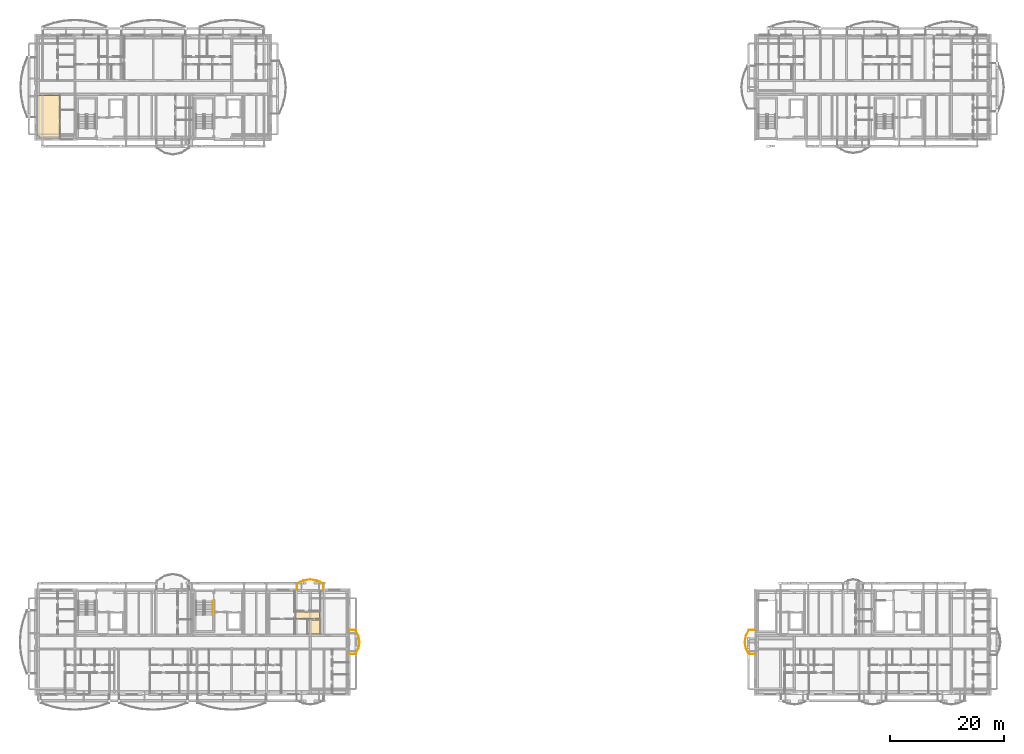
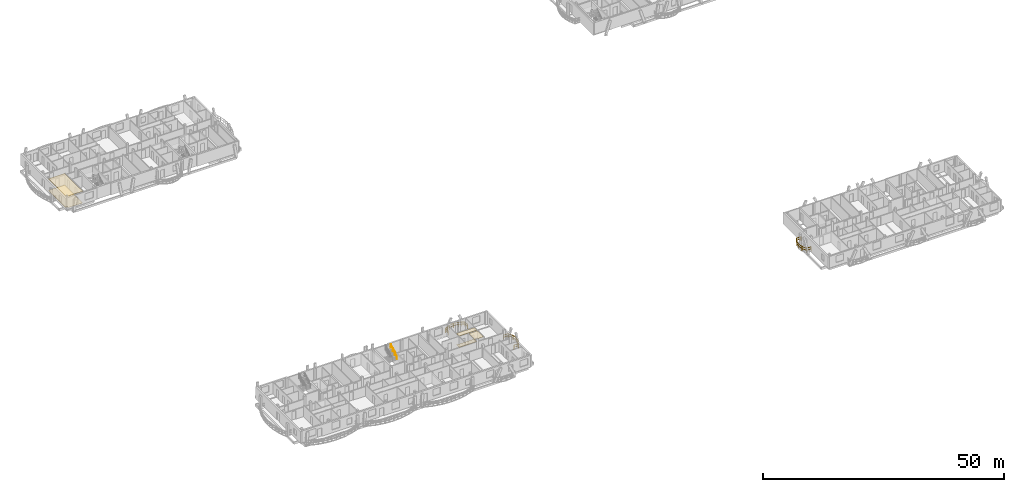
# One storey, part 35 of 41: 5 coverings, 4 railings.
"""IFC4 building model written with IfcOpenShell, lengths in metres."""

from ifc_helpers import new_model, si_unit, direction, frame, origin, origin_2d, place, context, subcontext, project, spatial, polyline, rectangle, outline, extrude, material, layer, layer_set, type_object, element, save


model = new_model("IFC4")

# Units and contexts
model_context = context("Model", 3, precision=1e-05, world=origin(), true_north=direction((0.0, 1.0)))
body_context = subcontext(model_context, "Body", "Model", "MODEL_VIEW")
ifc_project = project(units=[si_unit("LENGTHUNIT", "METRE"), si_unit("AREAUNIT", "SQUARE_METRE"), si_unit("VOLUMEUNIT", "CUBIC_METRE"), si_unit("PLANEANGLEUNIT", "RADIAN"), si_unit("MASSUNIT", "GRAM", prefix="KILO")], contexts=[model_context])

# Site, building, storey
site_placement = place(None, origin())
site = spatial("IfcSite", under=ifc_project, at=site_placement, CompositionType="ELEMENT")
building_placement = place(site_placement, origin())
building = spatial("IfcBuilding", under=site, at=building_placement, Name="Zavelmont Quarter", CompositionType="ELEMENT")
storey_placement = place(building_placement, frame((0.0, 0.0, 27.199951171875)))
storey = spatial("IfcBuildingStorey", under=building, at=storey_placement, Name="L08", CompositionType="ELEMENT", Elevation=27.199951171875)

# Coverings
ifc_material_1 = material(Name="Perforated acoustic gypsum board")
ifc_layer_1 = layer(ifc_material_1, 0.02490234375)
ifc_layer_set_1 = layer_set([ifc_layer_1], Name="Perforated acoustic gypsum board")
covering_type_1 = type_object("IfcCoveringType", Name="CV-CL01", PredefinedType="CEILING", material=ifc_layer_set_1)
covering_1_placement = place(storey_placement, frame((0.0, 0.0, 2.885009765625)))
element("IfcCovering", 1, at=covering_1_placement, inside=storey, type_object=covering_type_1, Name="L08 Kitchen acoustic ceiling", PredefinedType="CEILING", context=body_context, shape_type="SweptSolid", body=[
    extrude(outline(polyline([(47.929931640625, 13.1201171875), (49.969970703125, 13.1201171875), (49.969970703125, 10.6298828125), (48.56494140625, 10.6298828125), (48.56494140625, 10.6650390625), (48.034912109375, 10.6650390625), (48.034912109375, 10.6298828125), (47.929931640625, 10.6298828125), (47.929931640625, 13.1201171875)])), origin(), (0.0, 0.0, 1.0), 0.025146484375),
])
covering_2_placement = place(storey_placement, frame((0.0, 0.0, 2.93505859375)))
element("IfcCovering", 2, at=covering_2_placement, inside=storey, type_object=covering_type_1, Name="L08 Residents Study Lounge acoustic ceiling", PredefinedType="CEILING", context=body_context, shape_type="SweptSolid", body=[
    extrude(outline(polyline([(0.22998046875, 105.360107421875), (0.679931640625, 105.360107421875), (0.679931640625, 105.3701171875), (4.169921875, 105.3701171875), (4.169921875, 97.8798828125), (0.679931640625, 97.8798828125), (0.679931640625, 98.280029296875), (0.22998046875, 98.280029296875), (0.22998046875, 105.360107421875)])), origin(), (0.0, 0.0, 1.0), 0.02490234375),
])
ifc_material_2 = material(Name="Slatted European ash acoustic baffle ceiling")
ifc_layer_2 = layer(ifc_material_2, 0.0400390625)
ifc_layer_set_2 = layer_set([ifc_layer_2], Name="Slatted European ash acoustic baffle ceiling")
covering_type_2 = type_object("IfcCoveringType", Name="CV-CL02", PredefinedType="CEILING", material=ifc_layer_set_2)
covering_3_placement = place(storey_placement, frame((0.0, 0.0, 2.8701171875)))
element("IfcCovering", 3, at=covering_3_placement, inside=storey, type_object=covering_type_2, Name="L08 Apartment Hall acoustic ceiling", PredefinedType="CEILING", context=body_context, shape_type="SweptSolid", body=[
    extrude(outline(polyline([(45.72998046875, 14.469970703125), (49.969970703125, 14.469970703125), (49.969970703125, 13.3798828125), (45.72998046875, 13.3798828125), (45.72998046875, 14.469970703125)])), origin(), (0.0, 0.0, 1.0), 0.0400390625),
])
ifc_material_3 = material(Name="Engineered European oak parquet")
ifc_layer_3 = layer(ifc_material_3, 0.02197265625)
ifc_layer_set_3 = layer_set([ifc_layer_3], Name="Engineered European oak parquet")
covering_type_3 = type_object("IfcCoveringType", Name="CV-FL01", PredefinedType="FLOORING", material=ifc_layer_set_3)
covering_4_placement = place(storey_placement, origin())
element("IfcCovering", 4, at=covering_4_placement, inside=storey, type_object=covering_type_3, Name="L08 Residents Study Lounge floor finish", PredefinedType="FLOORING", context=body_context, shape_type="SweptSolid", body=[
    extrude(outline(polyline([(0.22998046875, 105.360107421875), (0.679931640625, 105.360107421875), (0.679931640625, 105.3701171875), (4.169921875, 105.3701171875), (4.169921875, 97.8798828125), (0.679931640625, 97.8798828125), (0.679931640625, 98.280029296875), (0.22998046875, 98.280029296875), (0.22998046875, 105.360107421875)])), origin(), (0.0, 0.0, 1.0), 0.02197265625),
])
ifc_material_4 = material(Name="Honed Belgian bluestone tile", Category="masonry")
ifc_layer_4 = layer(ifc_material_4, 0.030029296875)
ifc_layer_set_4 = layer_set([ifc_layer_4], Name="Honed Belgian bluestone tile")
covering_type_4 = type_object("IfcCoveringType", Name="CV-FL02", PredefinedType="FLOORING", material=ifc_layer_set_4)
covering_5_placement = place(storey_placement, origin())
element("IfcCovering", 5, at=covering_5_placement, inside=storey, type_object=covering_type_4, Name="L08 Apartment Hall floor finish", PredefinedType="FLOORING", context=body_context, shape_type="SweptSolid", body=[
    extrude(outline(polyline([(45.72998046875, 14.469970703125), (49.969970703125, 14.469970703125), (49.969970703125, 13.3798828125), (45.72998046875, 13.3798828125), (45.72998046875, 14.469970703125)])), origin(), (0.0, 0.0, 1.0), 0.030029296875),
])

# Railings
ifc_material_5 = material(Name="Powder-coated steel and tempered double safety glass", Category="steel")
railing_type_1 = type_object("IfcRailingType", Name="RL-BAL1", PredefinedType="BALUSTRADE", material=ifc_material_5)
railing_1_placement = place(storey_placement, frame((55.219970703125, 7.094482421875, 0.0)))
element("IfcRailing", 6, at=railing_1_placement, inside=storey, type_object=railing_type_1, Name="L08 Block A curved balcony guard RL-BAL1", PredefinedType="BALUSTRADE", context=body_context, shape_type="SweptSolid", body=[
    extrude(rectangle(XDim=0.048095703125, YDim=0.048095703125, at=origin_2d()), frame((0.0, 0.0, 1.076171875), z_axis=(1.0, 0.0, 0.0), x_axis=(0.0, 1.0, 0.0)), (0.0, 0.0, 1.0), 1.080078125),
    extrude(rectangle(XDim=0.048095703125, YDim=0.048095703125, at=origin_2d()), frame((0.0, 0.0, 0.550048828125), z_axis=(1.0, 0.0, 0.0), x_axis=(0.0, 1.0, 0.0)), (0.0, 0.0, 1.0), 1.080078125),
    extrude(rectangle(XDim=0.048095703125, YDim=0.048095703125, at=origin_2d()), frame((1.080078125, 0.0, 1.076171875), z_axis=(0.448705202878, 0.893679831321, 0.0), x_axis=(-0.893679831321, 0.448705202878, 0.0)), (0.0, 0.0, 1.0), 1.177978515625),
    extrude(rectangle(XDim=0.048095703125, YDim=0.048095703125, at=origin_2d()), frame((1.080078125, 0.0, 0.550048828125), z_axis=(0.448705202878, 0.893679831321, 0.0), x_axis=(-0.893679831321, 0.448705202878, 0.0)), (0.0, 0.0, 1.0), 1.177978515625),
    extrude(rectangle(XDim=0.048095703125, YDim=0.048095703125, at=origin_2d()), frame((1.608642578125, 1.052734375, 1.076171875), z_axis=(0.165140757499, 0.986270008777, 0.0), x_axis=(-0.986270008777, 0.165140757499, 0.0)), (0.0, 0.0, 1.0), 1.0673828125),
    extrude(rectangle(XDim=0.048095703125, YDim=0.048095703125, at=origin_2d()), frame((1.608642578125, 1.052734375, 0.550048828125), z_axis=(0.165140757499, 0.986270008777, 0.0), x_axis=(-0.986270008777, 0.165140757499, 0.0)), (0.0, 0.0, 1.0), 1.0673828125),
    extrude(rectangle(XDim=0.048095703125, YDim=0.048095703125, at=origin_2d()), frame((1.784912109375, 2.10546875, 1.076171875), z_axis=(-0.165140757499, 0.986270008777, 0.0), x_axis=(-0.986270008777, -0.165140757499, 0.0)), (0.0, 0.0, 1.0), 1.0673828125),
    extrude(rectangle(XDim=0.048095703125, YDim=0.048095703125, at=origin_2d()), frame((1.784912109375, 2.10546875, 0.550048828125), z_axis=(-0.165140757499, 0.986270008777, 0.0), x_axis=(-0.986270008777, -0.165140757499, 0.0)), (0.0, 0.0, 1.0), 1.0673828125),
    extrude(rectangle(XDim=0.048095703125, YDim=0.048095703125, at=origin_2d()), frame((1.608642578125, 3.158203125, 1.076171875), z_axis=(-0.448705202878, 0.893679831321, 0.0), x_axis=(-0.893679831321, -0.448705202878, 0.0)), (0.0, 0.0, 1.0), 1.177978515625),
    extrude(rectangle(XDim=0.048095703125, YDim=0.048095703125, at=origin_2d()), frame((1.608642578125, 3.158203125, 0.550048828125), z_axis=(-0.448705202878, 0.893679831321, 0.0), x_axis=(-0.893679831321, -0.448705202878, 0.0)), (0.0, 0.0, 1.0), 1.177978515625),
    extrude(rectangle(XDim=0.048095703125, YDim=0.048095703125, at=origin_2d()), frame((1.080078125, 4.2109375, 1.076171875), z_axis=(-1.0, 0.0, 0.0), x_axis=(0.0, -1.0, 0.0)), (0.0, 0.0, 1.0), 1.080078125),
    extrude(rectangle(XDim=0.048095703125, YDim=0.048095703125, at=origin_2d()), frame((1.080078125, 4.2109375, 0.550048828125), z_axis=(-1.0, 0.0, 0.0), x_axis=(0.0, -1.0, 0.0)), (0.0, 0.0, 1.0), 1.080078125),
    extrude(rectangle(XDim=0.0419921875, YDim=0.0419921875, at=origin_2d()), origin(), (0.0, 0.0, 1.0), 1.052001953125),
    extrude(rectangle(XDim=0.0419921875, YDim=0.0419921875, at=origin_2d()), frame((1.080078125, 0.0, 0.0)), (0.0, 0.0, 1.0), 1.052001953125),
    extrude(rectangle(XDim=0.0419921875, YDim=0.0419921875, at=origin_2d()), frame((1.608642578125, 1.052734375, 0.0)), (0.0, 0.0, 1.0), 1.052001953125),
    extrude(rectangle(XDim=0.0419921875, YDim=0.0419921875, at=origin_2d()), frame((1.784912109375, 2.10546875, 0.0)), (0.0, 0.0, 1.0), 1.052001953125),
    extrude(rectangle(XDim=0.0419921875, YDim=0.0419921875, at=origin_2d()), frame((1.608642578125, 3.158203125, 0.0)), (0.0, 0.0, 1.0), 1.052001953125),
    extrude(rectangle(XDim=0.0419921875, YDim=0.0419921875, at=origin_2d()), frame((1.080078125, 4.2109375, 0.0)), (0.0, 0.0, 1.0), 1.052001953125),
    extrude(rectangle(XDim=0.0419921875, YDim=0.0419921875, at=origin_2d()), frame((0.0, 4.2109375, 0.0)), (0.0, 0.0, 1.0), 1.052001953125),
])
railing_2_placement = place(storey_placement, frame((50.601318359375, 18.419921875, 0.0)))
element("IfcRailing", 7, at=railing_2_placement, inside=storey, type_object=railing_type_1, Name="L08 Block A curved balcony guard RL-BAL1", PredefinedType="BALUSTRADE", context=body_context, shape_type="SweptSolid", body=[
    extrude(rectangle(XDim=0.048095703125, YDim=0.048095703125, at=origin_2d()), frame((0.0, 0.0, 1.076171875), z_axis=(0.0, 1.0, 0.0), x_axis=(-1.0, 0.0, 0.0)), (0.0, 0.0, 1.0), 1.080078125),
    extrude(rectangle(XDim=0.048095703125, YDim=0.048095703125, at=origin_2d()), frame((0.0, 0.0, 0.550048828125), z_axis=(0.0, 1.0, 0.0), x_axis=(-1.0, 0.0, 0.0)), (0.0, 0.0, 1.0), 1.080078125),
    extrude(rectangle(XDim=0.048095703125, YDim=0.048095703125, at=origin_2d()), frame((0.0, 1.080078125, 1.076171875), z_axis=(-0.90863532726, 0.417590519594, 0.0), x_axis=(-0.417590519594, -0.90863532726, 0.0)), (0.0, 0.0, 1.0), 1.266357421875),
    extrude(rectangle(XDim=0.048095703125, YDim=0.048095703125, at=origin_2d()), frame((0.0, 1.080078125, 0.550048828125), z_axis=(-0.90863532726, 0.417590519594, 0.0), x_axis=(-0.417590519594, -0.90863532726, 0.0)), (0.0, 0.0, 1.0), 1.266357421875),
    extrude(rectangle(XDim=0.048095703125, YDim=0.048095703125, at=origin_2d()), frame((-1.150634765625, 1.60888671875, 1.076171875), z_axis=(-0.988468482654, 0.151426744001, 0.0), x_axis=(-0.151426744001, -0.988468482654, 0.0)), (0.0, 0.0, 1.0), 1.1640625),
    extrude(rectangle(XDim=0.048095703125, YDim=0.048095703125, at=origin_2d()), frame((-1.150634765625, 1.60888671875, 0.550048828125), z_axis=(-0.988468482654, 0.151426744001, 0.0), x_axis=(-0.151426744001, -0.988468482654, 0.0)), (0.0, 0.0, 1.0), 1.1640625),
    extrude(rectangle(XDim=0.048095703125, YDim=0.048095703125, at=origin_2d()), frame((-2.30126953125, 1.78515625, 1.076171875), z_axis=(-0.988468482654, -0.151426744001, 0.0), x_axis=(0.151426744001, -0.988468482654, 0.0)), (0.0, 0.0, 1.0), 1.1640625),
    extrude(rectangle(XDim=0.048095703125, YDim=0.048095703125, at=origin_2d()), frame((-2.30126953125, 1.78515625, 0.550048828125), z_axis=(-0.988468482654, -0.151426744001, 0.0), x_axis=(0.151426744001, -0.988468482654, 0.0)), (0.0, 0.0, 1.0), 1.1640625),
    extrude(rectangle(XDim=0.048095703125, YDim=0.048095703125, at=origin_2d()), frame((-3.451904296875, 1.60888671875, 1.076171875), z_axis=(-0.90863532726, -0.417590519594, 0.0), x_axis=(0.417590519594, -0.90863532726, 0.0)), (0.0, 0.0, 1.0), 1.266357421875),
    extrude(rectangle(XDim=0.048095703125, YDim=0.048095703125, at=origin_2d()), frame((-3.451904296875, 1.60888671875, 0.550048828125), z_axis=(-0.90863532726, -0.417590519594, 0.0), x_axis=(0.417590519594, -0.90863532726, 0.0)), (0.0, 0.0, 1.0), 1.266357421875),
    extrude(rectangle(XDim=0.048095703125, YDim=0.048095703125, at=origin_2d()), frame((-4.6025390625, 1.080078125, 1.076171875), z_axis=(0.0, -1.0, 0.0), x_axis=(1.0, 0.0, 0.0)), (0.0, 0.0, 1.0), 1.080078125),
    extrude(rectangle(XDim=0.048095703125, YDim=0.048095703125, at=origin_2d()), frame((-4.6025390625, 1.080078125, 0.550048828125), z_axis=(0.0, -1.0, 0.0), x_axis=(1.0, 0.0, 0.0)), (0.0, 0.0, 1.0), 1.080078125),
    extrude(rectangle(XDim=0.0419921875, YDim=0.0419921875, at=origin_2d()), origin(), (0.0, 0.0, 1.0), 1.052001953125),
    extrude(rectangle(XDim=0.0419921875, YDim=0.0419921875, at=origin_2d()), frame((0.0, 1.080078125, 0.0)), (0.0, 0.0, 1.0), 1.052001953125),
    extrude(rectangle(XDim=0.0419921875, YDim=0.0419921875, at=origin_2d()), frame((-0.5751953125, 1.344482421875, 0.0)), (0.0, 0.0, 1.0), 1.052001953125),
    extrude(rectangle(XDim=0.0419921875, YDim=0.0419921875, at=origin_2d()), frame((-1.150634765625, 1.60888671875, 0.0)), (0.0, 0.0, 1.0), 1.052001953125),
    extrude(rectangle(XDim=0.0419921875, YDim=0.0419921875, at=origin_2d()), frame((-2.30126953125, 1.78515625, 0.0)), (0.0, 0.0, 1.0), 1.052001953125),
    extrude(rectangle(XDim=0.0419921875, YDim=0.0419921875, at=origin_2d()), frame((-3.451904296875, 1.60888671875, 0.0)), (0.0, 0.0, 1.0), 1.052001953125),
    extrude(rectangle(XDim=0.0419921875, YDim=0.0419921875, at=origin_2d()), frame((-4.02734375, 1.344482421875, 0.0)), (0.0, 0.0, 1.0), 1.052001953125),
    extrude(rectangle(XDim=0.0419921875, YDim=0.0419921875, at=origin_2d()), frame((-4.6025390625, 1.080078125, 0.0)), (0.0, 0.0, 1.0), 1.052001953125),
    extrude(rectangle(XDim=0.0419921875, YDim=0.0419921875, at=origin_2d()), frame((-4.6025390625, 0.0, 0.0)), (0.0, 0.0, 1.0), 1.052001953125),
])
railing_3_placement = place(storey_placement, frame((126.580078125, 11.305419921875, 0.0)))
element("IfcRailing", 8, at=railing_3_placement, inside=storey, type_object=railing_type_1, Name="L08 Block D curved balcony guard RL-BAL1", PredefinedType="BALUSTRADE", context=body_context, shape_type="SweptSolid", body=[
    extrude(rectangle(XDim=0.048095703125, YDim=0.048095703125, at=origin_2d()), frame((0.0, 0.0, 1.076171875), z_axis=(-1.0, 0.0, 0.0), x_axis=(0.0, -1.0, 0.0)), (0.0, 0.0, 1.0), 1.080078125),
    extrude(rectangle(XDim=0.048095703125, YDim=0.048095703125, at=origin_2d()), frame((0.0, 0.0, 0.550048828125), z_axis=(-1.0, 0.0, 0.0), x_axis=(0.0, -1.0, 0.0)), (0.0, 0.0, 1.0), 1.080078125),
    extrude(rectangle(XDim=0.048095703125, YDim=0.048095703125, at=origin_2d()), frame((-1.080078125, 0.0, 1.076171875), z_axis=(-0.44887070613, -0.893596715067, 0.0), x_axis=(0.893596715067, -0.44887070613, 0.0)), (0.0, 0.0, 1.0), 1.177978515625),
    extrude(rectangle(XDim=0.048095703125, YDim=0.048095703125, at=origin_2d()), frame((-1.080078125, 0.0, 0.550048828125), z_axis=(-0.44887070613, -0.893596715067, 0.0), x_axis=(0.893596715067, -0.44887070613, 0.0)), (0.0, 0.0, 1.0), 1.177978515625),
    extrude(rectangle(XDim=0.048095703125, YDim=0.048095703125, at=origin_2d()), frame((-1.60888671875, -1.052734375, 1.076171875), z_axis=(-0.165140757499, -0.986270008777, 0.0), x_axis=(0.986270008777, -0.165140757499, 0.0)), (0.0, 0.0, 1.0), 1.0673828125),
    extrude(rectangle(XDim=0.048095703125, YDim=0.048095703125, at=origin_2d()), frame((-1.60888671875, -1.052734375, 0.550048828125), z_axis=(-0.165140757499, -0.986270008777, 0.0), x_axis=(0.986270008777, -0.165140757499, 0.0)), (0.0, 0.0, 1.0), 1.0673828125),
    extrude(rectangle(XDim=0.048095703125, YDim=0.048095703125, at=origin_2d()), frame((-1.78515625, -2.10546875, 1.076171875), z_axis=(0.165140757499, -0.986270008777, 0.0), x_axis=(0.986270008777, 0.165140757499, 0.0)), (0.0, 0.0, 1.0), 1.0673828125),
    extrude(rectangle(XDim=0.048095703125, YDim=0.048095703125, at=origin_2d()), frame((-1.78515625, -2.10546875, 0.550048828125), z_axis=(0.165140757499, -0.986270008777, 0.0), x_axis=(0.986270008777, 0.165140757499, 0.0)), (0.0, 0.0, 1.0), 1.0673828125),
    extrude(rectangle(XDim=0.048095703125, YDim=0.048095703125, at=origin_2d()), frame((-1.60888671875, -3.158203125, 1.076171875), z_axis=(0.44887070613, -0.893596715067, 0.0), x_axis=(0.893596715067, 0.44887070613, 0.0)), (0.0, 0.0, 1.0), 1.177978515625),
    extrude(rectangle(XDim=0.048095703125, YDim=0.048095703125, at=origin_2d()), frame((-1.60888671875, -3.158203125, 0.550048828125), z_axis=(0.44887070613, -0.893596715067, 0.0), x_axis=(0.893596715067, 0.44887070613, 0.0)), (0.0, 0.0, 1.0), 1.177978515625),
    extrude(rectangle(XDim=0.048095703125, YDim=0.048095703125, at=origin_2d()), frame((-1.080078125, -4.2109375, 1.076171875), z_axis=(1.0, 0.0, 0.0), x_axis=(0.0, 1.0, 0.0)), (0.0, 0.0, 1.0), 1.080078125),
    extrude(rectangle(XDim=0.048095703125, YDim=0.048095703125, at=origin_2d()), frame((-1.080078125, -4.2109375, 0.550048828125), z_axis=(1.0, 0.0, 0.0), x_axis=(0.0, 1.0, 0.0)), (0.0, 0.0, 1.0), 1.080078125),
    extrude(rectangle(XDim=0.0419921875, YDim=0.0419921875, at=origin_2d()), origin(), (0.0, 0.0, 1.0), 1.052001953125),
    extrude(rectangle(XDim=0.0419921875, YDim=0.0419921875, at=origin_2d()), frame((-1.080078125, 0.0, 0.0)), (0.0, 0.0, 1.0), 1.052001953125),
    extrude(rectangle(XDim=0.0419921875, YDim=0.0419921875, at=origin_2d()), frame((-1.60888671875, -1.052734375, 0.0)), (0.0, 0.0, 1.0), 1.052001953125),
    extrude(rectangle(XDim=0.0419921875, YDim=0.0419921875, at=origin_2d()), frame((-1.78515625, -2.10546875, 0.0)), (0.0, 0.0, 1.0), 1.052001953125),
    extrude(rectangle(XDim=0.0419921875, YDim=0.0419921875, at=origin_2d()), frame((-1.60888671875, -3.158203125, 0.0)), (0.0, 0.0, 1.0), 1.052001953125),
    extrude(rectangle(XDim=0.0419921875, YDim=0.0419921875, at=origin_2d()), frame((-1.080078125, -4.2109375, 0.0)), (0.0, 0.0, 1.0), 1.052001953125),
    extrude(rectangle(XDim=0.0419921875, YDim=0.0419921875, at=origin_2d()), frame((0.0, -4.2109375, 0.0)), (0.0, 0.0, 1.0), 1.052001953125),
])
ifc_material_6 = material(Name="Brushed stainless-steel wall handrail", Category="steel")
railing_type_2 = type_object("IfcRailingType", Name="RL-HND1", PredefinedType="HANDRAIL", material=ifc_material_6)
railing_4_placement = place(storey_placement, frame((31.14990234375, 13.969970703125, 1.77783203125)))
element("IfcRailing", 9, at=railing_4_placement, inside=storey, type_object=railing_type_2, Name="L08 ST02 stair handrail 2", PredefinedType="HANDRAIL", context=body_context, shape_type="SweptSolid", body=[
    extrude(rectangle(XDim=0.048095703125, YDim=0.048095703125, at=origin_2d()), frame((0.0, 0.0, 0.8759765625), z_axis=(0.0, 0.867490628297, 0.497453525283), x_axis=(-1.0, 0.0, 0.0)), (0.0, 0.0, 1.0), 2.85888671875),
    extrude(rectangle(XDim=0.0419921875, YDim=0.0419921875, at=origin_2d()), origin(), (0.0, 0.0, 1.0), 0.851806640625),
    extrude(rectangle(XDim=0.0419921875, YDim=0.0419921875, at=origin_2d()), frame((0.0, 0.82666015625, 0.47412109375)), (0.0, 0.0, 1.0), 0.851806640625),
    extrude(rectangle(XDim=0.0419921875, YDim=0.0419921875, at=origin_2d()), frame((0.0, 1.6533203125, 0.947998046875)), (0.0, 0.0, 1.0), 0.851806640625),
    extrude(rectangle(XDim=0.0419921875, YDim=0.0419921875, at=origin_2d()), frame((0.0, 2.47998046875, 1.422119140625)), (0.0, 0.0, 1.0), 0.851806640625),
])

save(model, "model.ifc")
